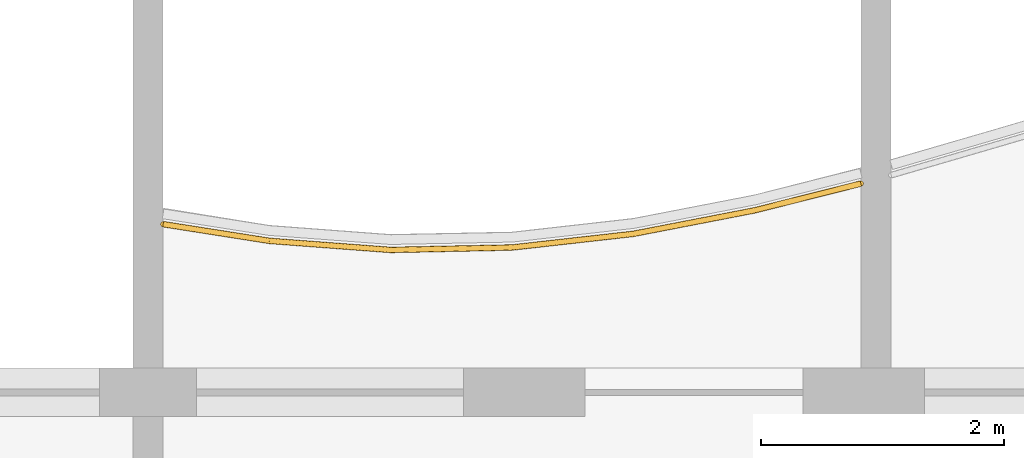
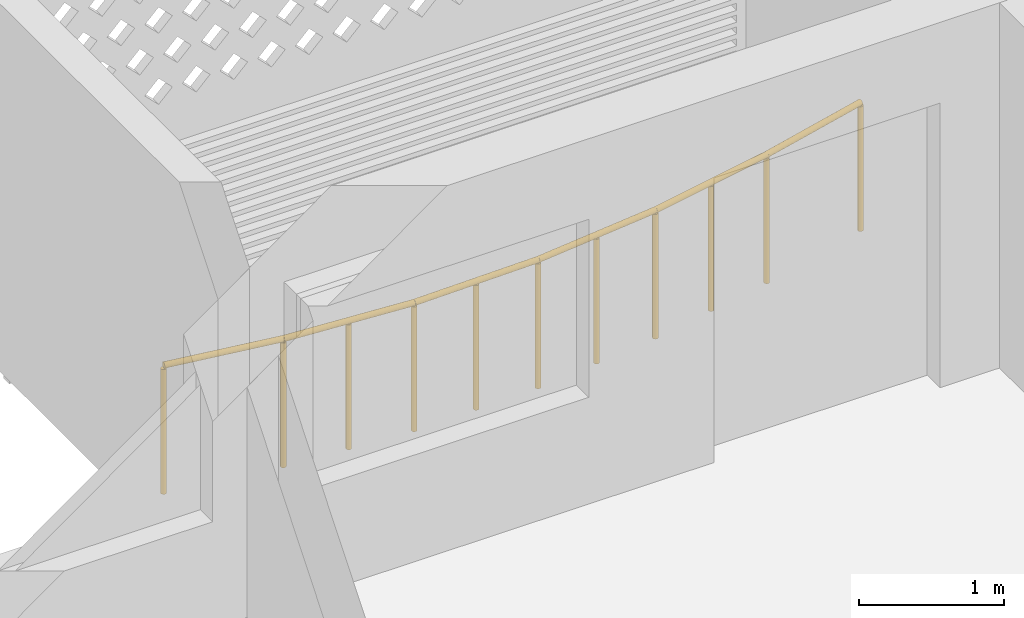
# One storey, part 21 of 26: 1 railing.
"""IFC4 building model written with IfcOpenShell, lengths in metres."""

import ifcopenshell
import ifcopenshell.guid

model = None  # the IFC model being written
_history = None  # IfcOwnerHistory: only IFC2X3 demands one
_inside = {}  # id of a spatial element -> (the spatial element, [elements in it])
_under = {}  # id of a project, library or spatial element -> (it, [spatial elements below it])
_declared = {}  # id of a project -> (the project, [libraries it declares])
_typed = {}  # id of a type object -> (the type object, [elements of that type])
_made_of = {}  # id of a material, layer set ... -> (it, [elements and type objects made of it])


def new_model(schema):
    """Start an empty IFC model of exactly this schema.

    Asked for "IFC4X3", IfcOpenShell would pick the latest addendum, in which some entities
    have other attributes; the version numbers below select the first issue.
    IFC2X3 requires an IfcOwnerHistory on every rooted entity: one is made here for all.
    """
    global model, _history
    if schema == "IFC4X3":
        model = ifcopenshell.file(schema_version=(4, 3, 0, 0))
    else:
        model = ifcopenshell.file(schema=schema)
    _inside.clear()
    _under.clear()
    _declared.clear()
    _typed.clear()
    _made_of.clear()
    _history = None
    if model.schema == "IFC2X3":
        org = make("IfcOrganization", Name="unknown")
        user = make(
            "IfcPersonAndOrganization",
            ThePerson=make("IfcPerson", FamilyName="unknown"),
            TheOrganization=org,
        )
        app = make(
            "IfcApplication",
            ApplicationDeveloper=org,
            Version="unknown",
            ApplicationFullName="unknown",
            ApplicationIdentifier="unknown",
        )
        _history = make(
            "IfcOwnerHistory",
            OwningUser=user,
            OwningApplication=app,
            ChangeAction="ADDED",
            CreationDate=0,
        )
    return model


def make(cls, **values):
    """One entity of the class cls with the attributes given. An attribute that is None is left unset."""
    return model.create_entity(
        cls, **{name: value for name, value in values.items() if value is not None}
    )


def rooted(cls, **values):
    """An entity with a GlobalId (a new one), such as an element, a storey or a relation."""
    return make(cls, GlobalId=ifcopenshell.guid.new(), OwnerHistory=_history, **values)


def si_unit(unit_type, name, prefix=None):
    """IfcSIUnit, for example si_unit("LENGTHUNIT", "METRE", prefix="MILLI")."""
    return make("IfcSIUnit", UnitType=unit_type, Prefix=prefix, Name=name)


def assignment(units):
    """IfcUnitAssignment: the units of a project."""
    return None if units is None else make("IfcUnitAssignment", Units=units)


def point(xyz):
    """IfcCartesianPoint."""
    return None if xyz is None else make("IfcCartesianPoint", Coordinates=xyz)


def direction(xyz):
    """IfcDirection."""
    return None if xyz is None else make("IfcDirection", DirectionRatios=xyz)


def frame(location, z_axis=None, x_axis=None):
    """IfcAxis2Placement3D, a coordinate frame: its origin and axes. An axis left out is left unset."""
    return make(
        "IfcAxis2Placement3D",
        Location=point(location),
        Axis=direction(z_axis),
        RefDirection=direction(x_axis),
    )


def frame_2d(location, x_axis=None):
    """IfcAxis2Placement2D, a coordinate frame in the plane: its origin and x axis."""
    return make(
        "IfcAxis2Placement2D", Location=point(location), RefDirection=direction(x_axis)
    )


def origin():
    """The frame at (0, 0, 0) with its axes left unset."""
    return frame((0.0, 0.0, 0.0))


def origin_2d():
    """The frame at (0, 0) in the plane with its x axis left unset."""
    return frame_2d((0.0, 0.0))


def place(relative_to, where):
    """IfcLocalPlacement: puts the frame where relative to a parent placement (None: the world)."""
    return make(
        "IfcLocalPlacement", PlacementRelTo=relative_to, RelativePlacement=where
    )


def context(
    kind, dimensions, precision=None, world=None, true_north=None, identifier=None
):
    """IfcGeometricRepresentationContext, for example the 3D "Model" context."""
    return make(
        "IfcGeometricRepresentationContext",
        ContextIdentifier=identifier,
        ContextType=kind,
        CoordinateSpaceDimension=dimensions,
        Precision=precision,
        WorldCoordinateSystem=world,
        TrueNorth=true_north,
    )


def subcontext(parent, identifier, kind, view, scale=None):
    """IfcGeometricRepresentationSubContext, for example "Body" below "Model"."""
    return make(
        "IfcGeometricRepresentationSubContext",
        ContextIdentifier=identifier,
        ContextType=kind,
        ParentContext=parent,
        TargetScale=scale,
        TargetView=view,
    )


def project(units=None, contexts=None):
    """IfcProject with its units and contexts."""
    return rooted(
        "IfcProject",
        Name="project",
        RepresentationContexts=contexts,
        UnitsInContext=assignment(units),
    )


def spatial(cls, under=None, at=None, **own):
    """A site, building, storey or space (cls), placed at a placement, below another one or the project."""
    s = rooted(cls, ObjectPlacement=at, **own)
    if under is not None:
        _under.setdefault(under.id(), (under, []))[1].append(s)
    return s


def profile(cls, at=None, kind="AREA", **sizes):
    """A parametric profile (cls). Its sizes go by their IFC names, for example OverallWidth=200.0."""
    return make(cls, ProfileType=kind, Position=at, **sizes)


def circle(**sizes):
    """IfcCircleProfileDef."""
    return profile("IfcCircleProfileDef", **sizes)


def extrude(swept, where, along, depth):
    """IfcExtrudedAreaSolid: the profile swept, set in the frame where, extruded along a direction by depth."""
    return make(
        "IfcExtrudedAreaSolid",
        SweptArea=swept,
        Position=where,
        ExtrudedDirection=direction(along),
        Depth=depth,
    )


def shape(context_of_items, identifier, shape_type, items):
    """IfcShapeRepresentation: the items that make up one representation, for example the "Body"."""
    return make(
        "IfcShapeRepresentation",
        ContextOfItems=context_of_items,
        RepresentationIdentifier=identifier,
        RepresentationType=shape_type,
        Items=items,
    )


def material(Name=None, Category=None):
    """IfcMaterial."""
    return make("IfcMaterial", Name=Name, Category=Category)


def made_of(thing, what):
    """Note that an element or type object is made of a material, layer set ...; save() writes the relation."""
    if what is not None:
        _made_of.setdefault(what.id(), (what, []))[1].append(thing)
    return thing


def type_object(cls, material=None, **own):
    """A type object (cls), such as IfcWallType, which elements share."""
    return made_of(rooted(cls, **own), material)


def element(
    cls,
    number,
    at=None,
    inside=None,
    cuts=None,
    type_object=None,
    material=None,
    context=None,
    identifier="Body",
    shape_type=None,
    held_by="IfcProductDefinitionShape",
    body=None,
    shapes=None,
    **own,
):
    """One element of the class cls, such as IfcWall. Its Tag is "e" and its number.

    at: its placement. inside: the storey or other place that contains it. cuts: it is an
    opening in that element (IfcRelVoidsElement). A single representation is given by context,
    identifier, shape_type and body (its items); several are given by shapes. held_by: the class
    of the entity that holds the representations. save() writes the other relations.
    """
    e = rooted(cls, Tag="e%d" % number, ObjectPlacement=at, **own)
    if body is not None:
        shapes = [shape(context, identifier, shape_type, body)]
    if shapes is not None:
        e.Representation = make(held_by, Representations=shapes)
    if inside is not None:
        _inside.setdefault(inside.id(), (inside, []))[1].append(e)
    if cuts is not None:
        rooted(
            "IfcRelVoidsElement", RelatingBuildingElement=cuts, RelatedOpeningElement=e
        )
    if type_object is not None:
        _typed.setdefault(type_object.id(), (type_object, []))[1].append(e)
    return made_of(e, material)


def aggregate(whole, parts):
    """IfcRelAggregates: a whole, such as a stair, and the parts it consists of."""
    return rooted("IfcRelAggregates", RelatingObject=whole, RelatedObjects=parts)


def save(model, path):
    """Write the relations noted so far, then the file.

    IfcRelAggregates (storeys below a building ...), IfcRelContainedInSpatialStructure (elements
    in a storey), IfcRelDefinesByType, IfcRelAssociatesMaterial and IfcRelDeclares: one each for
    every whole, place, type object, material and project.
    """
    for whole, parts in _under.values():
        aggregate(whole, parts)
    for where, things in _inside.values():
        rooted(
            "IfcRelContainedInSpatialStructure",
            RelatedElements=things,
            RelatingStructure=where,
        )
    for kind, things in _typed.values():
        rooted("IfcRelDefinesByType", RelatedObjects=things, RelatingType=kind)
    for what, things in _made_of.values():
        rooted("IfcRelAssociatesMaterial", RelatedObjects=things, RelatingMaterial=what)
    for by, libraries in _declared.values():
        rooted("IfcRelDeclares", RelatingContext=by, RelatedDefinitions=libraries)
    model.write(path)


model = new_model("IFC4")

# Units and contexts
model_context = context("Model", 3, precision=1e-05, world=origin(), true_north=direction((0.0, 1.0)))
body_context = subcontext(model_context, "Body", "Model", "MODEL_VIEW")
ifc_project = project(units=[si_unit("LENGTHUNIT", "METRE"), si_unit("AREAUNIT", "SQUARE_METRE"), si_unit("VOLUMEUNIT", "CUBIC_METRE"), si_unit("PLANEANGLEUNIT", "RADIAN"), si_unit("MASSUNIT", "GRAM", prefix="KILO")], contexts=[model_context])

# Site, building, storey
site_placement = place(None, origin())
site = spatial("IfcSite", under=ifc_project, at=site_placement, CompositionType="ELEMENT")
building_placement = place(site_placement, origin())
building = spatial("IfcBuilding", under=site, at=building_placement, Name="Poui Terraces", CompositionType="ELEMENT")
storey_placement = place(building_placement, frame((0.0, 0.0, 247.800048828125)))
storey = spatial("IfcBuildingStorey", under=building, at=storey_placement, Name="L69", CompositionType="ELEMENT", Elevation=247.800048828125)

# Railing
ifc_material = material(Name="Painted steel fretwork", Category="steel")
railing_type = type_object("IfcRailingType", Name="BALCONY GUARD 1100", PredefinedType="GUARDRAIL", material=ifc_material)
railing_placement = place(storey_placement, frame((60.125, 42.58642578125, 0.0)))
element("IfcRailing", 1, at=railing_placement, inside=storey, type_object=railing_type, Name="BALCONY GUARD", PredefinedType="GUARDRAIL", context=body_context, shape_type="SweptSolid", body=[
    extrude(circle(Radius=0.02392578125, at=origin_2d()), frame((0.0, 0.0, 1.076171875), z_axis=(0.987885578074, -0.155184034725, 0.0), x_axis=(0.155184034725, 0.987885578074, 0.0)), (0.0, 0.0, 1.0), 0.8857421875),
    extrude(circle(Radius=0.02392578125, at=origin_2d()), frame((0.875, -0.137451171875, 1.076171875), z_axis=(0.997202940152, -0.074741528962, 0.0), x_axis=(0.074741528962, 0.997202940152, 0.0)), (0.0, 0.0, 1.0), 1.002685546875),
    extrude(circle(Radius=0.02392578125, at=origin_2d()), frame((1.875, -0.21240234375, 1.076171875), z_axis=(0.999799669399, 0.020015520725, 0.0), x_axis=(-0.020015520725, 0.999799669399, 0.0)), (0.0, 0.0, 1.0), 1.000244140625),
    extrude(circle(Radius=0.02392578125, at=origin_2d()), frame((2.875, -0.1923828125, 1.076171875), z_axis=(0.993725924527, 0.111842688283, 0.0), x_axis=(-0.111842688283, 0.993725924527, 0.0)), (0.0, 0.0, 1.0), 1.00634765625),
    extrude(circle(Radius=0.02392578125, at=origin_2d()), frame((3.875, -0.079833984375, 1.076171875), z_axis=(0.981724998512, 0.190305090044, 0.0), x_axis=(-0.190305090044, 0.981724998512, 0.0)), (0.0, 0.0, 1.0), 1.0185546875),
    extrude(circle(Radius=0.02392578125, at=origin_2d()), frame((4.875, 0.114013671875, 1.076171875), z_axis=(0.969695230547, 0.244317743634, 0.0), x_axis=(-0.244317743634, 0.969695230547, 0.0)), (0.0, 0.0, 1.0), 0.90234375),
    extrude(circle(Radius=0.02099609375, at=origin_2d()), origin(), (0.0, 0.0, 1.0), 1.052001953125),
    extrude(circle(Radius=0.02099609375, at=origin_2d()), frame((0.875, -0.137451171875, 0.0)), (0.0, 0.0, 1.0), 1.052001953125),
    extrude(circle(Radius=0.02099609375, at=origin_2d()), frame((1.375, -0.1748046875, 0.0)), (0.0, 0.0, 1.0), 1.052001953125),
    extrude(circle(Radius=0.02099609375, at=origin_2d()), frame((1.875, -0.21240234375, 0.0)), (0.0, 0.0, 1.0), 1.052001953125),
    extrude(circle(Radius=0.02099609375, at=origin_2d()), frame((2.375, -0.202392578125, 0.0)), (0.0, 0.0, 1.0), 1.052001953125),
    extrude(circle(Radius=0.02099609375, at=origin_2d()), frame((2.875, -0.1923828125, 0.0)), (0.0, 0.0, 1.0), 1.052001953125),
    extrude(circle(Radius=0.02099609375, at=origin_2d()), frame((3.375, -0.13623046875, 0.0)), (0.0, 0.0, 1.0), 1.052001953125),
    extrude(circle(Radius=0.02099609375, at=origin_2d()), frame((3.875, -0.079833984375, 0.0)), (0.0, 0.0, 1.0), 1.052001953125),
    extrude(circle(Radius=0.02099609375, at=origin_2d()), frame((4.375, 0.01708984375, 0.0)), (0.0, 0.0, 1.0), 1.052001953125),
    extrude(circle(Radius=0.02099609375, at=origin_2d()), frame((4.875, 0.114013671875, 0.0)), (0.0, 0.0, 1.0), 1.052001953125),
    extrude(circle(Radius=0.02099609375, at=origin_2d()), frame((5.75, 0.33447265625, 0.0)), (0.0, 0.0, 1.0), 1.052001953125),
])

save(model, "model.ifc")
